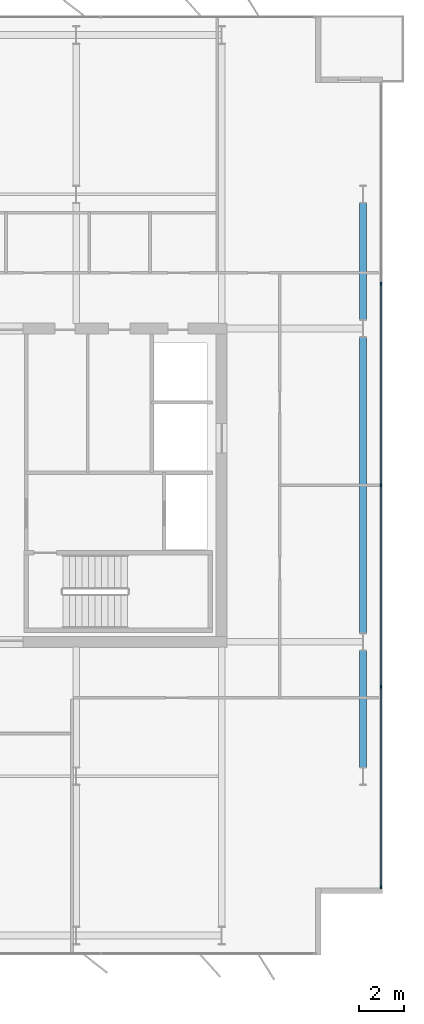
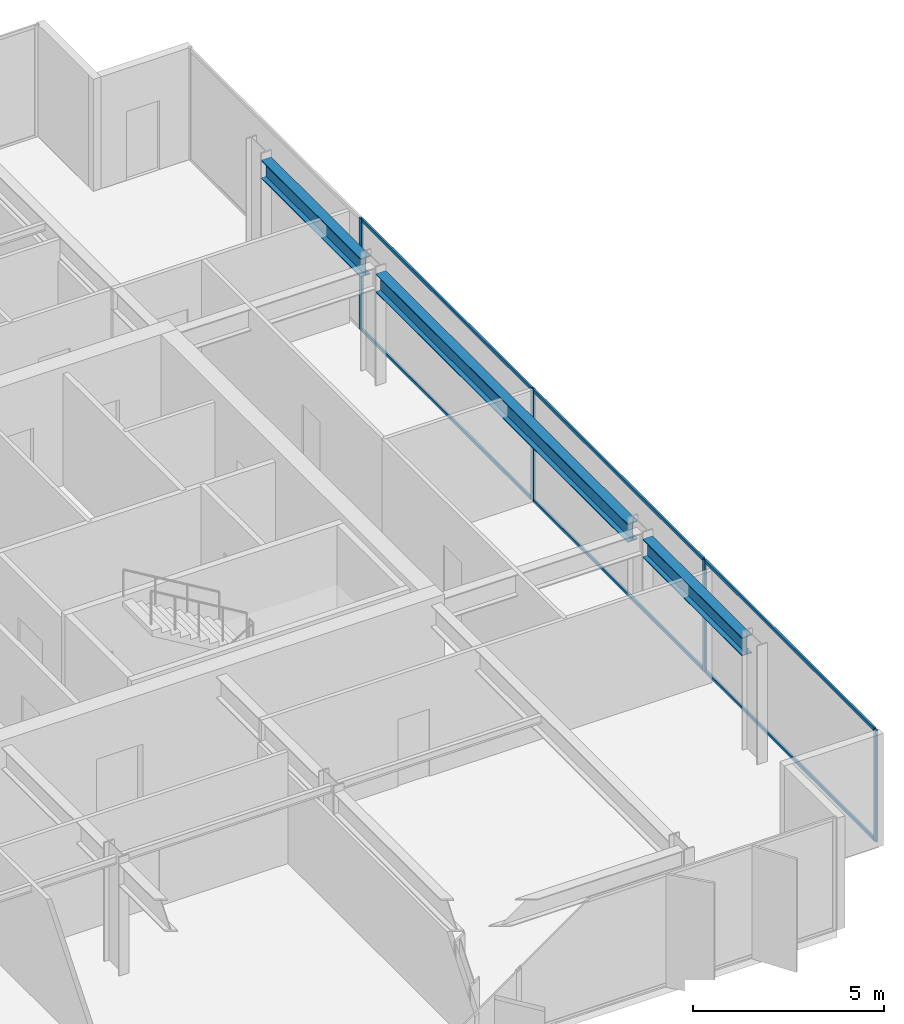
# One storey, part 14 of 23: 10 members, 3 beams, 1 element without a shape of its own.
"""IFC4 building model written with IfcOpenShell, lengths in metres."""

from ifc_helpers import new_model, si_unit, direction, frame, origin, origin_2d, place, context, subcontext, project, spatial, rectangle, i_section, extrude, material, layer, layer_set, material_profile, profile_set, type_object, element, aggregate, save


model = new_model("IFC4")

# Units and contexts
model_context = context("Model", 3, precision=1e-05, world=origin(), true_north=direction((0.0, 1.0)))
body_context = subcontext(model_context, "Body", "Model", "MODEL_VIEW")
ifc_project = project(units=[si_unit("LENGTHUNIT", "METRE"), si_unit("AREAUNIT", "SQUARE_METRE"), si_unit("VOLUMEUNIT", "CUBIC_METRE"), si_unit("PLANEANGLEUNIT", "RADIAN"), si_unit("MASSUNIT", "GRAM", prefix="KILO")], contexts=[model_context])

# Site, building, storey
site_placement = place(None, origin())
site = spatial("IfcSite", under=ifc_project, at=site_placement, CompositionType="ELEMENT")
building_placement = place(site_placement, origin())
building = spatial("IfcBuilding", under=site, at=building_placement, Name="Putna Gate Headquarters", CompositionType="ELEMENT")
storey_placement = place(building_placement, frame((0.0, 0.0, 206.199951171875)))
storey = spatial("IfcBuildingStorey", under=building, at=storey_placement, Name="L51", CompositionType="ELEMENT", Elevation=206.199951171875)

# Beams
ifc_material_1 = material(Name="Steel S355J2", Category="steel")
ifc_material_profile_1 = material_profile(ifc_material_1, i_section(OverallWidth=0.300048828125, OverallDepth=0.590087890625, WebThickness=0.012939453125, FlangeThickness=0.02490234375, at=origin_2d()), Name="Steel S355J2")
ifc_profile_set_1 = profile_set([ifc_material_profile_1], Name="Steel S355J2")
beam_type = type_object("IfcBeamType", Name="BM-SPAN-Z4-HEA600", PredefinedType="SPANDREL", material=ifc_profile_set_1)
beam_1_placement = place(storey_placement, frame((71.320068359375, 13.39501953125, 3.28515625), z_axis=(0.0, 1.0, 0.0), x_axis=(-1.0, 0.0, 0.0)))
element("IfcBeam", 1, at=beam_1_placement, inside=storey, type_object=beam_type, Name="L51 E End Spandrel 1", PredefinedType="SPANDREL", context=body_context, shape_type="SweptSolid", body=[
    extrude(i_section(OverallWidth=0.300048828125, OverallDepth=0.590087890625, WebThickness=0.012939453125, FlangeThickness=0.02490234375, at=origin_2d()), origin(), (0.0, 0.0, 1.0), 5.2099609375),
])
beam_2_placement = place(storey_placement, frame((71.320068359375, 19.39501953125, 3.28515625), z_axis=(0.0, 1.0, 0.0), x_axis=(-1.0, 0.0, 0.0)))
element("IfcBeam", 2, at=beam_2_placement, inside=storey, type_object=beam_type, Name="L51 E End Spandrel 2", PredefinedType="SPANDREL", context=body_context, shape_type="SweptSolid", body=[
    extrude(i_section(OverallWidth=0.300048828125, OverallDepth=0.590087890625, WebThickness=0.012939453125, FlangeThickness=0.02490234375, at=origin_2d()), origin(), (0.0, 0.0, 1.0), 13.2099609375),
])
beam_3_placement = place(storey_placement, frame((71.320068359375, 33.39501953125, 3.28515625), z_axis=(0.0, 1.0, 0.0), x_axis=(-1.0, 0.0, 0.0)))
element("IfcBeam", 3, at=beam_3_placement, inside=storey, type_object=beam_type, Name="L51 E End Spandrel 3", PredefinedType="SPANDREL", context=body_context, shape_type="SweptSolid", body=[
    extrude(i_section(OverallWidth=0.300048828125, OverallDepth=0.590087890625, WebThickness=0.012939453125, FlangeThickness=0.02490234375, at=origin_2d()), origin(), (0.0, 0.0, 1.0), 5.2099609375),
])

# Curtain wall, members
ifc_material_2 = material(Name="Anodised bronze aluminium curtain wall", Category="aluminium")
ifc_layer = layer(ifc_material_2, 0.139892578125)
ifc_layer_set = layer_set([ifc_layer], Name="Anodised bronze aluminium curtain wall")
curtain_wall_type = type_object("IfcCurtainWallType", Name="CW-SYS-Z4", PredefinedType="USERDEFINED", material=ifc_layer_set)
curtain_wall_placement = place(storey_placement, origin())
curtain_wall = element("IfcCurtainWall", 4, at=curtain_wall_placement, inside=storey, type_object=curtain_wall_type, Name="L51 East Curtain Wall", ObjectType="STICK CURTAIN WALL", PredefinedType="USERDEFINED")
ifc_material_3 = material(Name="Anodised bronze aluminium EN AW-6060", Category="aluminium")
ifc_material_profile_2 = material_profile(ifc_material_3, rectangle(XDim=0.06005859375, YDim=0.139892578125, at=origin_2d()), Name="Anodised bronze aluminium EN AW-6060")
ifc_profile_set_2 = profile_set([ifc_material_profile_2], Name="Anodised bronze aluminium EN AW-6060")
member_type_1 = type_object("IfcMemberType", Name="MULL-CWM-4", PredefinedType="MULLION", material=ifc_profile_set_2)
member_1_placement = place(storey_placement, frame((72.1201171875, 8.030029296875, 0.0), z_axis=(0.0, 0.0, 1.0), x_axis=(-1.0, 0.0, 0.0)))
member_1 = element("IfcMember", 5, at=member_1_placement, type_object=member_type_1, Name="CWS-4 mullion 1", PredefinedType="MULLION", context=body_context, shape_type="SweptSolid", body=[
    extrude(rectangle(XDim=0.06005859375, YDim=0.139892578125, at=origin_2d()), origin(), (0.0, 0.0, 1.0), 3.580078125),
])
member_2_placement = place(storey_placement, frame((72.1201171875, 17.0, 0.0), z_axis=(0.0, 0.0, 1.0), x_axis=(-1.0, 0.0, 0.0)))
member_2 = element("IfcMember", 6, at=member_2_placement, type_object=member_type_1, Name="CWS-4 mullion 2", PredefinedType="MULLION", context=body_context, shape_type="SweptSolid", body=[
    extrude(rectangle(XDim=0.06005859375, YDim=0.139892578125, at=origin_2d()), origin(), (0.0, 0.0, 1.0), 3.580078125),
])
member_3_placement = place(storey_placement, frame((72.1201171875, 26.0, 0.0), z_axis=(0.0, 0.0, 1.0), x_axis=(-1.0, 0.0, 0.0)))
member_3 = element("IfcMember", 7, at=member_3_placement, type_object=member_type_1, Name="CWS-4 mullion 3", PredefinedType="MULLION", context=body_context, shape_type="SweptSolid", body=[
    extrude(rectangle(XDim=0.06005859375, YDim=0.139892578125, at=origin_2d()), origin(), (0.0, 0.0, 1.0), 3.580078125),
])
member_4_placement = place(storey_placement, frame((72.1201171875, 35.0, 0.0), z_axis=(0.0, 0.0, 1.0), x_axis=(-1.0, 0.0, 0.0)))
member_4 = element("IfcMember", 8, at=member_4_placement, type_object=member_type_1, Name="CWS-4 mullion 4", PredefinedType="MULLION", context=body_context, shape_type="SweptSolid", body=[
    extrude(rectangle(XDim=0.06005859375, YDim=0.139892578125, at=origin_2d()), origin(), (0.0, 0.0, 1.0), 3.580078125),
])
ifc_material_profile_3 = material_profile(ifc_material_3, rectangle(XDim=0.06005859375, YDim=0.10009765625, at=origin_2d()), Name="Anodised bronze aluminium EN AW-6060")
ifc_profile_set_3 = profile_set([ifc_material_profile_3], Name="Anodised bronze aluminium EN AW-6060")
member_type_2 = type_object("IfcMemberType", Name="TRAN-CWT-4", PredefinedType="USERDEFINED", material=ifc_profile_set_3)
member_5_placement = place(storey_placement, frame((72.1201171875, 8.06005859375, 0.030029296875), z_axis=(0.0, 1.0, 0.0), x_axis=(-1.0, 0.0, 0.0)))
member_5 = element("IfcMember", 9, at=member_5_placement, type_object=member_type_2, Name="CWS-4 transom 1.1", ObjectType="TRANSOM", PredefinedType="USERDEFINED", context=body_context, shape_type="SweptSolid", body=[
    extrude(rectangle(XDim=0.06005859375, YDim=0.10009765625, at=origin_2d()), origin(), (0.0, 0.0, 1.0), 8.909912109375),
])
member_6_placement = place(storey_placement, frame((72.1201171875, 8.06005859375, 3.550048828125), z_axis=(0.0, 1.0, 0.0), x_axis=(-1.0, 0.0, 0.0)))
member_6 = element("IfcMember", 10, at=member_6_placement, type_object=member_type_2, Name="CWS-4 transom 1.2", ObjectType="TRANSOM", PredefinedType="USERDEFINED", context=body_context, shape_type="SweptSolid", body=[
    extrude(rectangle(XDim=0.06005859375, YDim=0.10009765625, at=origin_2d()), origin(), (0.0, 0.0, 1.0), 8.909912109375),
])
member_7_placement = place(storey_placement, frame((72.1201171875, 17.030029296875, 0.030029296875), z_axis=(0.0, 1.0, 0.0), x_axis=(-1.0, 0.0, 0.0)))
member_7 = element("IfcMember", 11, at=member_7_placement, type_object=member_type_2, Name="CWS-4 transom 2.1", ObjectType="TRANSOM", PredefinedType="USERDEFINED", context=body_context, shape_type="SweptSolid", body=[
    extrude(rectangle(XDim=0.06005859375, YDim=0.10009765625, at=origin_2d()), origin(), (0.0, 0.0, 1.0), 8.93994140625),
])
member_8_placement = place(storey_placement, frame((72.1201171875, 17.030029296875, 3.550048828125), z_axis=(0.0, 1.0, 0.0), x_axis=(-1.0, 0.0, 0.0)))
member_8 = element("IfcMember", 12, at=member_8_placement, type_object=member_type_2, Name="CWS-4 transom 2.2", ObjectType="TRANSOM", PredefinedType="USERDEFINED", context=body_context, shape_type="SweptSolid", body=[
    extrude(rectangle(XDim=0.06005859375, YDim=0.10009765625, at=origin_2d()), origin(), (0.0, 0.0, 1.0), 8.93994140625),
])
member_9_placement = place(storey_placement, frame((72.1201171875, 26.030029296875, 0.030029296875), z_axis=(0.0, 1.0, 0.0), x_axis=(-1.0, 0.0, 0.0)))
member_9 = element("IfcMember", 13, at=member_9_placement, type_object=member_type_2, Name="CWS-4 transom 3.1", ObjectType="TRANSOM", PredefinedType="USERDEFINED", context=body_context, shape_type="SweptSolid", body=[
    extrude(rectangle(XDim=0.06005859375, YDim=0.10009765625, at=origin_2d()), origin(), (0.0, 0.0, 1.0), 8.93994140625),
])
member_10_placement = place(storey_placement, frame((72.1201171875, 26.030029296875, 3.550048828125), z_axis=(0.0, 1.0, 0.0), x_axis=(-1.0, 0.0, 0.0)))
member_10 = element("IfcMember", 14, at=member_10_placement, type_object=member_type_2, Name="CWS-4 transom 3.2", ObjectType="TRANSOM", PredefinedType="USERDEFINED", context=body_context, shape_type="SweptSolid", body=[
    extrude(rectangle(XDim=0.06005859375, YDim=0.10009765625, at=origin_2d()), origin(), (0.0, 0.0, 1.0), 8.93994140625),
])
aggregate(curtain_wall, [member_1, member_2, member_3, member_4, member_5, member_6, member_7, member_8, member_9, member_10])

save(model, "model.ifc")
